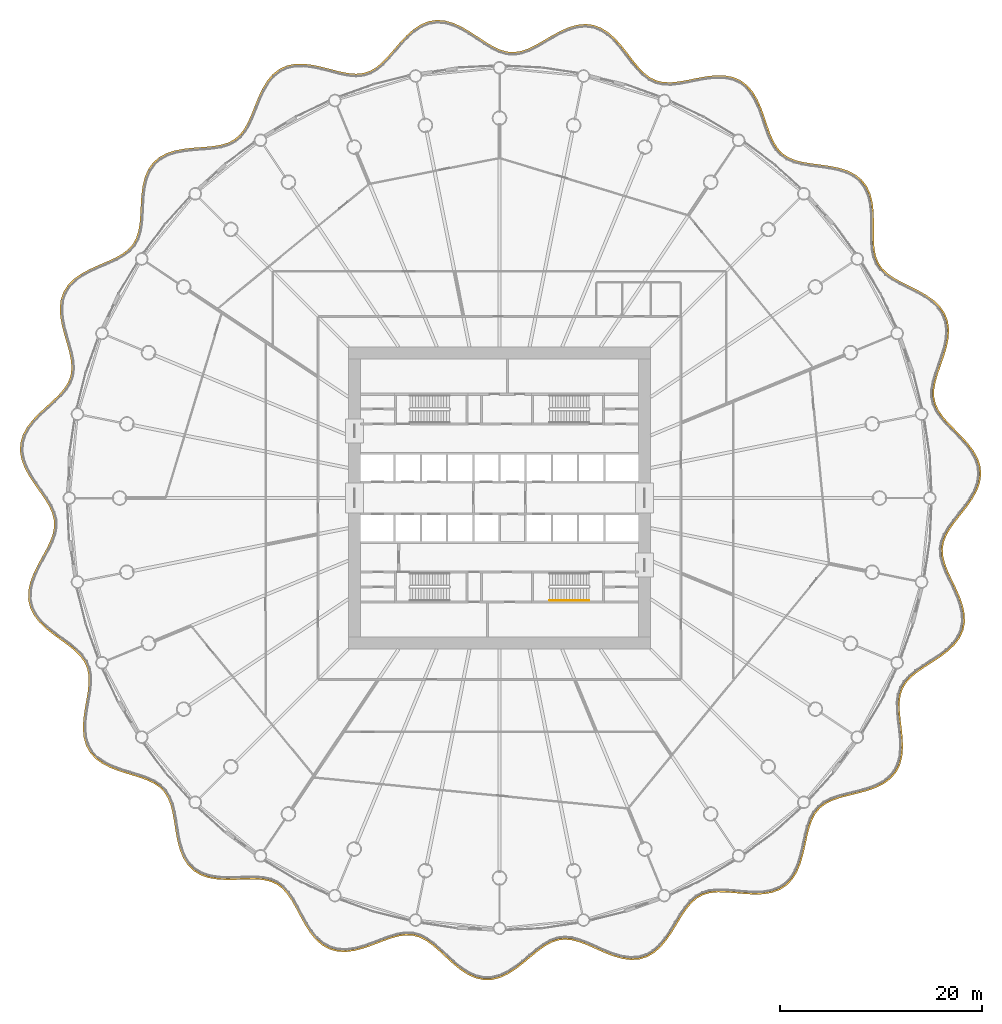
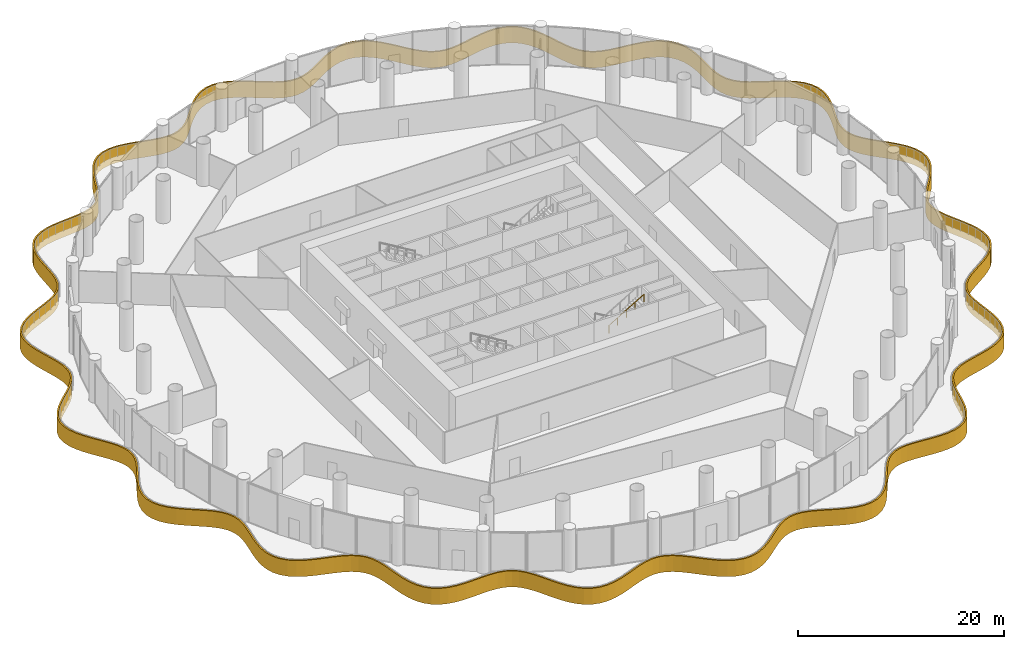
# One storey, part 34 of 38: 1 covering, 1 railing.
"""IFC4 building model written with IfcOpenShell, lengths in metres."""

from ifc_helpers import new_model, si_unit, direction, frame, origin, origin_2d, place, context, subcontext, project, spatial, polyline, circle, outline, extrude, material, layer, layer_set, type_object, element, save


model = new_model("IFC4")

# Units and contexts
model_context = context("Model", 3, precision=1e-05, world=origin(), true_north=direction((0.0, 1.0)))
body_context = subcontext(model_context, "Body", "Model", "MODEL_VIEW")
ifc_project = project(units=[si_unit("LENGTHUNIT", "METRE"), si_unit("AREAUNIT", "SQUARE_METRE"), si_unit("VOLUMEUNIT", "CUBIC_METRE"), si_unit("PLANEANGLEUNIT", "RADIAN"), si_unit("MASSUNIT", "GRAM", prefix="KILO")], contexts=[model_context])

# Site, building, storey
site_placement = place(None, origin())
site = spatial("IfcSite", under=ifc_project, at=site_placement, CompositionType="ELEMENT")
building_placement = place(site_placement, origin())
building = spatial("IfcBuilding", under=site, at=building_placement, Name="Corvane Civic Tower", CompositionType="ELEMENT")
storey_placement = place(building_placement, frame((0.0, 0.0, 32.0)))
storey = spatial("IfcBuildingStorey", under=building, at=storey_placement, Name="L06", CompositionType="ELEMENT", Elevation=32.0)

# Covering
ifc_material_1 = material(Name="Anodised aluminium ochre", Category="aluminium")
ifc_layer = layer(ifc_material_1, 0.159912109375)
ifc_layer_set = layer_set([ifc_layer], Name="Anodised aluminium ochre")
covering_type = type_object("IfcCoveringType", Name="PODIUM-COV-FASCIA-L06", PredefinedType="CLADDING", material=ifc_layer_set)
covering_placement = place(storey_placement, frame((0.0, 0.0, -0.800048828125)))
element("IfcCovering", 1, at=covering_placement, inside=storey, type_object=covering_type, Name="L06 ribbon fascia", PredefinedType="CLADDING", context=body_context, shape_type="SweptSolid", body=[
    extrude(outline(polyline([(0.75, 44.293212890625), (0.056396484375, 44.4912109375), (-0.65576171875, 44.82666015625), (-1.39208984375, 45.268310546875), (-2.154296875, 45.772705078125), (-2.940673828125, 46.2880859375), (-3.748779296875, 46.760009765625), (-4.572021484375, 47.136962890625), (-5.4033203125, 47.3740234375), (-6.230712890625, 47.4375), (-7.0380859375, 47.310302734375), (-7.810302734375, 46.99560546875), (-8.538330078125, 46.517578125), (-9.22119140625, 45.913818359375), (-9.86474609375, 45.23095703125), (-10.477294921875, 44.52001953125), (-11.071044921875, 43.83447265625), (-11.659423828125, 43.22412109375), (-12.255859375, 42.727783203125), (-12.873779296875, 42.371337890625), (-13.528564453125, 42.162109375), (-14.236083984375, 42.095947265625), (-15.005615234375, 42.15771484375), (-15.834228515625, 42.3203125), (-16.710693359375, 42.543212890625), (-17.617919921875, 42.77880859375), (-18.535888671875, 42.97705078125), (-19.442626953125, 43.089599609375), (-20.3154296875, 43.0751953125), (-21.1328125, 42.902587890625), (-21.87353515625, 42.556396484375), (-22.522216796875, 42.041259765625), (-23.074951171875, 41.379638671875), (-23.541259765625, 40.605712890625), (-23.939208984375, 39.760009765625), (-24.293701171875, 38.88818359375), (-24.63232421875, 38.037109375), (-24.984130859375, 37.250244140625), (-25.3759765625, 36.56298828125), (-25.8291015625, 35.997802734375), (-26.36181640625, 35.561279296875), (-26.988525390625, 35.2451171875), (-27.7158203125, 35.0341796875), (-28.53515625, 34.9052734375), (-29.42529296875, 34.825927734375), (-30.35595703125, 34.75732421875), (-31.2919921875, 34.658203125), (-32.197021484375, 34.489501953125), (-33.0361328125, 34.2177734375), (-33.77734375, 33.81787109375), (-34.394287109375, 33.279296875), (-34.87060546875, 32.607177734375), (-35.206787109375, 31.822265625), (-35.418701171875, 30.952392578125), (-35.536376953125, 30.0302734375), (-35.59521484375, 29.090087890625), (-35.637451171875, 28.1669921875), (-35.70458984375, 27.294189453125), (-35.83447265625, 26.498291015625), (-36.05712890625, 25.796142578125), (-36.393310546875, 25.190673828125), (-36.856201171875, 24.671875), (-37.44921875, 24.2236328125), (-38.160400390625, 23.827392578125), (-38.962158203125, 23.460693359375), (-39.81494140625, 23.096435546875), (-40.673095703125, 22.70751953125), (-41.489013671875, 22.267578125), (-42.218017578125, 21.755615234375), (-42.8203125, 21.156005859375), (-43.264892578125, 20.46484375), (-43.53466796875, 19.68994140625), (-43.631591796875, 18.849853515625), (-43.57763671875, 17.965087890625), (-43.407958984375, 17.056640625), (-43.167236328125, 16.14599609375), (-42.905517578125, 15.253173828125), (-42.673095703125, 14.396484375), (-42.5166015625, 13.589599609375), (-42.47216796875, 12.8408203125), (-42.563232421875, 12.148193359375), (-42.801025390625, 11.500244140625), (-43.186279296875, 10.8798828125), (-43.705810546875, 10.273193359375), (-44.32861328125, 9.6669921875), (-45.0107421875, 9.049560546875), (-45.701171875, 8.4091796875), (-46.34619140625, 7.736328125), (-46.8955078125, 7.023681640625), (-47.3046875, 6.27001953125), (-47.540283203125, 5.478271484375), (-47.584228515625, 4.661376953125), (-47.440185546875, 3.8349609375), (-47.132080078125, 3.01318359375), (-46.697509765625, 2.20556640625), (-46.18408203125, 1.417724609375), (-45.64501953125, 0.6533203125), (-45.134521484375, -0.0869140625), (-44.702392578125, -0.8037109375), (-44.388671875, -1.500732421875), (-44.218017578125, -2.186279296875), (-44.200439453125, -2.87353515625), (-44.333251953125, -3.579833984375), (-44.601806640625, -4.315673828125), (-44.976806640625, -5.084228515625), (-45.414794921875, -5.8837890625), (-45.8642578125, -6.708984375), (-46.271484375, -7.552490234375), (-46.58544921875, -8.404296875), (-46.76123046875, -9.252685546875), (-46.76611328125, -10.083740234375), (-46.58203125, -10.88037109375), (-46.214111328125, -11.626708984375), (-45.685302734375, -12.31591796875), (-45.032470703125, -12.949462890625), (-44.301513671875, -13.536376953125), (-43.54248046875, -14.089599609375), (-42.8076171875, -14.625), (-42.1455078125, -15.160400390625), (-41.59521484375, -15.712646484375), (-41.18115234375, -16.296630859375), (-40.911376953125, -16.92919921875), (-40.780029296875, -17.625), (-40.772216796875, -18.393310546875), (-40.861083984375, -19.229248046875), (-41.00927734375, -20.118896484375), (-41.169921875, -21.04150390625), (-41.294921875, -21.972900390625), (-41.337646484375, -22.88720703125), (-41.258544921875, -23.759033203125), (-41.027587890625, -24.563720703125), (-40.630126953125, -25.278564453125), (-40.0712890625, -25.88818359375), (-39.372802734375, -26.3896484375), (-38.5673828125, -26.795166015625), (-37.694091796875, -27.125), (-36.79638671875, -27.40771484375), (-35.91796875, -27.6748046875), (-35.100341796875, -27.958984375), (-34.37744140625, -28.289306640625), (-33.770751953125, -28.690185546875), (-33.284912109375, -29.1796875), (-32.912841796875, -29.772705078125), (-32.637939453125, -30.474609375), (-32.438720703125, -31.275634765625), (-32.284423828125, -32.153076171875), (-32.139892578125, -33.073486328125), (-31.96630859375, -33.9990234375), (-31.727783203125, -34.889892578125), (-31.393310546875, -35.70849609375), (-30.9404296875, -36.420654296875), (-30.359375, -36.998779296875), (-29.65625, -37.42578125), (-28.850830078125, -37.70361328125), (-27.969970703125, -37.849365234375), (-27.04248046875, -37.894287109375), (-26.1005859375, -37.877685546875), (-25.175537109375, -37.84326171875), (-24.296875, -37.835205078125), (-23.48876953125, -37.89453125), (-22.76611328125, -38.052734375), (-22.130615234375, -38.3310546875), (-21.57177734375, -38.7421875), (-21.073486328125, -39.289306640625), (-20.617919921875, -39.95947265625), (-20.185546875, -40.72412109375), (-19.7529296875, -41.542724609375), (-19.29638671875, -42.366943359375), (-18.793701171875, -43.1474609375), (-18.226806640625, -43.83740234375), (-17.583984375, -44.39599609375), (-16.8623046875, -44.791259765625), (-16.071044921875, -45.005615234375), (-15.227783203125, -45.041748046875), (-14.3515625, -44.92236328125), (-13.460693359375, -44.68310546875), (-12.572509765625, -44.370849609375), (-11.703125, -44.035888671875), (-10.8662109375, -43.730712890625), (-10.07275390625, -43.502685546875), (-9.32763671875, -43.3896484375), (-8.6279296875, -43.41552734375), (-7.9609375, -43.59130859375), (-7.310791015625, -43.91650390625), (-6.662841796875, -44.377197265625), (-6.008056640625, -44.943359375), (-5.337646484375, -45.570556640625), (-4.643798828125, -46.206787109375), (-3.92138671875, -46.7978515625), (-3.16796875, -47.292724609375), (-2.384033203125, -47.646728515625), (-1.57666015625, -47.826171875), (-0.7587890625, -47.812744140625), (0.053466796875, -47.6103515625), (0.847900390625, -47.2431640625), (1.618408203125, -46.748779296875), (2.3623046875, -46.175048828125), (3.0810546875, -45.57470703125), (3.777587890625, -45.00146484375), (4.456787109375, -44.50634765625), (5.126220703125, -44.12890625), (5.794921875, -43.894775390625), (6.477294921875, -43.812255859375), (7.18994140625, -43.87890625), (7.943115234375, -44.079345703125), (8.738037109375, -44.38525390625), (9.5693359375, -44.753662109375), (10.427978515625, -45.13427734375), (11.301513671875, -45.47412109375), (12.1767578125, -45.722412109375), (13.0380859375, -45.8359375), (13.86865234375, -45.781494140625), (14.650390625, -45.542236328125), (15.367431640625, -45.122802734375), (16.014404296875, -44.54638671875), (16.59521484375, -43.8486328125), (17.121826171875, -43.07421875), (17.612060546875, -42.272216796875), (18.085205078125, -41.493408203125), (18.563720703125, -40.7841796875), (19.06640625, -40.18359375), (19.611572265625, -39.715576171875), (20.2158203125, -39.386962890625), (20.89453125, -39.19189453125), (21.6552734375, -39.115234375), (22.4921875, -39.131103515625), (23.38818359375, -39.203125), (24.320068359375, -39.287841796875), (25.2587890625, -39.33837890625), (26.17578125, -39.31103515625), (27.041259765625, -39.1669921875), (27.828857421875, -38.878662109375), (28.5146484375, -38.431884765625), (29.082275390625, -37.83203125), (29.530517578125, -37.100830078125), (29.872802734375, -36.26904296875), (30.13330078125, -35.37353515625), (30.342529296875, -34.45556640625), (30.5361328125, -33.555908203125), (30.74951171875, -32.713623046875), (31.015380859375, -31.96044921875), (31.360107421875, -31.316650390625), (31.802490234375, -30.78662109375), (32.3564453125, -30.361572265625), (33.02734375, -30.025390625), (33.80419921875, -29.7578125), (34.662353515625, -29.530517578125), (35.56640625, -29.31103515625), (36.475341796875, -29.06396484375), (37.3466796875, -28.756591796875), (38.14013671875, -28.361328125), (38.8193359375, -27.85693359375), (39.35546875, -27.236083984375), (39.73193359375, -26.50537109375), (39.949951171875, -25.68408203125), (40.02880859375, -24.796875), (40.001708984375, -23.8701171875), (39.909423828125, -22.9326171875), (39.798583984375, -22.011962890625), (39.71533203125, -21.134033203125), (39.702880859375, -20.320068359375), (39.79443359375, -19.58251953125), (40.0126953125, -18.92236328125), (40.36865234375, -18.32861328125), (40.865478515625, -17.784423828125), (41.48974609375, -17.27392578125), (42.212158203125, -16.77978515625), (42.990478515625, -16.281494140625), (43.77490234375, -15.760009765625), (44.51513671875, -15.197265625), (45.162109375, -14.57861328125), (45.673828125, -13.895263671875), (46.017822265625, -13.146728515625), (46.17578125, -12.343017578125), (46.151611328125, -11.501220703125), (45.96728515625, -10.638671875), (45.660888671875, -9.7705078125), (45.27880859375, -8.91015625), (44.872802734375, -8.0703125), (44.49658203125, -7.259521484375), (44.198486328125, -6.4853515625), (44.017578125, -5.750244140625), (43.977783203125, -5.04931640625), (44.089599609375, -4.36962890625), (44.352294921875, -3.694580078125), (44.751708984375, -3.01171875), (45.25732421875, -2.313720703125), (45.824951171875, -1.5947265625), (46.40283203125, -0.852294921875), (46.93603515625, -0.084716796875), (47.373291015625, 0.7060546875), (47.669921875, 1.515625), (47.7919921875, 2.3349609375), (47.72119140625, 3.149658203125), (47.4619140625, 3.94384765625), (47.0380859375, 4.707275390625), (46.487060546875, 5.435791015625), (45.856689453125, 6.131591796875), (45.19873046875, 6.7998046875), (44.5673828125, 7.447021484375), (44.0126953125, 8.08349609375), (43.574462890625, 8.718994140625), (43.277587890625, 9.365234375), (43.13134765625, 10.036865234375), (43.131103515625, 10.75), (43.262939453125, 11.514404296875), (43.49755859375, 12.329345703125), (43.794189453125, 13.1865234375), (44.103515625, 14.072509765625), (44.373291015625, 14.970947265625), (44.5546875, 15.864501953125), (44.6044921875, 16.73388671875), (44.49072265625, 17.559814453125), (44.197509765625, 18.322998046875), (43.72900390625, 19.007568359375), (43.10791015625, 19.608642578125), (42.36962890625, 20.133544921875), (41.55712890625, 20.597412109375), (40.717529296875, 21.02099609375), (39.8994140625, 21.428466796875), (39.14892578125, 21.84521484375), (38.502685546875, 22.294677734375), (37.98388671875, 22.796142578125), (37.599853515625, 23.3671875), (37.3427734375, 24.022705078125), (37.1982421875, 24.76953125), (37.14111328125, 25.600830078125), (37.137451171875, 26.497314453125), (37.1455078125, 27.431640625), (37.12109375, 28.372314453125), (37.02294921875, 29.28564453125), (36.814697265625, 30.140625), (36.4697265625, 30.906982421875), (35.97607421875, 31.559814453125), (35.33837890625, 32.0830078125), (34.578369140625, 32.476318359375), (33.72509765625, 32.75390625), (32.8134765625, 32.943359375), (31.881103515625, 33.077880859375), (30.966552734375, 33.1962890625), (30.105712890625, 33.337158203125), (29.328369140625, 33.536376953125), (28.652587890625, 33.8212890625), (28.08251953125, 34.21240234375), (27.6083984375, 34.722900390625), (27.21435546875, 35.357177734375), (26.881103515625, 36.10400390625), (26.58251953125, 36.937255859375), (26.28955078125, 37.818603515625), (25.970703125, 38.705078125), (25.59619140625, 39.551513671875), (25.141357421875, 40.314697265625), (24.588134765625, 40.957275390625), (23.9306640625, 41.448974609375), (23.17578125, 41.772705078125), (22.343017578125, 41.930419921875), (21.45458984375, 41.942626953125), (20.5341796875, 41.84375), (19.607177734375, 41.677001953125), (18.697021484375, 41.489990234375), (17.826416015625, 41.33154296875), (17.01318359375, 41.246826171875), (16.2666015625, 41.27099609375), (15.587646484375, 41.426513671875), (14.9638671875, 41.724609375), (14.37890625, 42.167236328125), (13.818115234375, 42.7412109375), (13.265380859375, 43.416259765625), (12.705810546875, 44.148681640625), (12.123291015625, 44.888671875), (11.50341796875, 45.583740234375), (10.836181640625, 46.18359375), (10.115478515625, 46.6455078125), (9.34375, 46.936279296875), (8.531494140625, 47.03759765625), (7.695068359375, 46.952880859375), (6.8505859375, 46.705810546875), (6.010498046875, 46.333984375), (5.183837890625, 45.884521484375), (4.378662109375, 45.41064453125), (3.600341796875, 44.9658203125), (2.85205078125, 44.599609375), (2.1328125, 44.351318359375), (1.4365234375, 44.245849609375), (0.75, 44.293212890625)]), holes=[polyline([(-0.731201171875, 44.685302734375), (0.0, 44.341064453125), (0.72216796875, 44.134765625), (1.443115234375, 44.0849609375), (2.171142578125, 44.1953125), (2.91357421875, 44.451416015625), (3.67529296875, 44.82421875), (4.458984375, 45.272216796875), (5.2626953125, 45.745361328125), (6.0810546875, 46.190185546875), (6.90576171875, 46.55517578125), (7.725830078125, 46.795166015625), (8.529541015625, 46.87646484375), (9.30517578125, 46.77978515625), (10.04345703125, 46.501708984375), (10.73876953125, 46.055908203125), (11.389892578125, 45.470703125), (12.00048828125, 44.785888671875), (12.579345703125, 44.05078125), (13.139892578125, 43.31689453125), (13.69873046875, 42.63427734375), (14.27294921875, 42.046875), (14.880126953125, 41.587158203125), (15.53466796875, 41.2744140625), (16.24609375, 41.111572265625), (17.018798828125, 41.086669921875), (17.84912109375, 41.173095703125), (18.7275390625, 41.332763671875), (19.637451171875, 41.519775390625), (20.556884765625, 41.685302734375), (21.4619140625, 41.782470703125), (22.326904296875, 41.7705078125), (23.12890625, 41.61865234375), (23.85009765625, 41.309326171875), (24.478271484375, 40.839599609375), (25.010986328125, 40.220947265625), (25.453857421875, 39.477783203125), (25.822021484375, 38.6455078125), (26.138427734375, 37.766357421875), (26.431396484375, 36.885009765625), (26.732421875, 36.04443359375), (27.07275390625, 35.281982421875), (27.480712890625, 34.625244140625), (27.977294921875, 34.090576171875), (28.575439453125, 33.68017578125), (29.277099609375, 33.38427734375), (30.072998046875, 33.180419921875), (30.943359375, 33.0380859375), (31.859375, 32.91943359375), (32.78564453125, 32.78564453125), (33.683837890625, 32.59912109375), (34.516357421875, 32.328125), (35.25, 31.94873046875), (35.85986328125, 31.4482421875), (36.331298828125, 30.824951171875), (36.662841796875, 30.08837890625), (36.864990234375, 29.258056640625), (36.96142578125, 28.361572265625), (36.9853515625, 27.43017578125), (36.9775390625, 26.49755859375), (36.981201171875, 25.594970703125), (37.039306640625, 24.748779296875), (37.1884765625, 23.977783203125), (37.457275390625, 23.29248046875), (37.860595703125, 22.69287109375), (38.400634765625, 22.170654296875), (39.064208984375, 21.709228515625), (39.824951171875, 21.286865234375), (40.645751953125, 20.8779296875), (41.4814453125, 20.456298828125), (42.283447265625, 19.99853515625), (43.00537109375, 19.4853515625), (43.60595703125, 18.90380859375), (44.054931640625, 18.248046875), (44.334716796875, 17.519775390625), (44.44384765625, 16.7275390625), (44.3955078125, 15.885009765625), (44.218017578125, 15.010009765625), (43.951171875, 14.121826171875), (43.64306640625, 13.239013671875), (43.344970703125, 12.377685546875), (43.106689453125, 11.55029296875), (42.97119140625, 10.763671875), (42.971435546875, 10.01953125), (43.125, 9.314208984375), (43.434814453125, 8.6396484375), (43.885986328125, 7.9853515625), (44.44970703125, 7.338623046875), (45.08447265625, 6.687744140625), (45.740234375, 6.021728515625), (46.36376953125, 5.333740234375), (46.903564453125, 4.61962890625), (47.314697265625, 3.879638671875), (47.5634765625, 3.117431640625), (47.630859375, 2.33984375), (47.51416015625, 1.555419921875), (47.227294921875, 0.772705078125), (46.800048828125, 0.0), (46.27392578125, -0.75732421875), (45.698974609375, -1.49609375), (45.129638671875, -2.217041015625), (44.617431640625, -2.92431640625), (44.207763671875, -3.624755859375), (43.934326171875, -4.3271484375), (43.817138671875, -5.040771484375), (43.858642578125, -5.774169921875), (44.04541015625, -6.533447265625), (44.34912109375, -7.322021484375), (44.728271484375, -8.138671875), (45.133544921875, -8.9775390625), (45.51220703125, -9.82958984375), (45.81298828125, -10.68212890625), (45.991943359375, -11.520263671875), (46.015380859375, -12.329833984375), (45.864501953125, -13.09716796875), (45.53564453125, -13.81298828125), (45.0419921875, -14.47216796875), (44.4111328125, -15.075439453125), (43.68212890625, -15.629638671875), (42.903076171875, -16.1474609375), (42.123779296875, -16.646240234375), (41.393798828125, -17.145751953125), (40.755126953125, -17.66796875), (40.23974609375, -18.232421875), (39.8662109375, -18.855224609375), (39.6376953125, -19.547119140625), (39.542724609375, -20.311279296875), (39.555419921875, -21.142822265625), (39.639404296875, -22.029052734375), (39.75048828125, -22.949951171875), (39.842041015625, -23.88037109375), (39.86865234375, -24.7919921875), (39.791748046875, -25.65625), (39.581787109375, -26.447509765625), (39.221923828125, -27.14599609375), (38.709716796875, -27.739013671875), (38.05615234375, -28.224365234375), (37.2841796875, -28.609130859375), (36.427734375, -28.9111328125), (35.526611328125, -29.156005859375), (34.623046875, -29.37548828125), (33.757568359375, -29.6044921875), (32.965087890625, -29.877685546875), (32.271240234375, -30.225341796875), (31.69091796875, -30.67041015625), (31.226806640625, -31.226806640625), (30.86865234375, -31.895751953125), (30.59619140625, -32.667236328125), (30.38037109375, -33.51953125), (30.186279296875, -34.4208984375), (29.978271484375, -35.33349609375), (29.7216796875, -36.216064453125), (29.387451171875, -37.028076171875), (28.95458984375, -37.734130859375), (28.411376953125, -38.30810546875), (27.7568359375, -38.734619140625), (27.000244140625, -39.01171875), (26.16015625, -39.1513671875), (25.2607421875, -39.17822265625), (24.33154296875, -39.128173828125), (23.40185546875, -39.043701171875), (22.5, -38.97119140625), (21.648681640625, -38.955078125), (20.8642578125, -39.0341796875), (20.15478515625, -39.238037109375), (19.520263671875, -39.5830078125), (18.9521484375, -40.07080078125), (18.435546875, -40.687744140625), (17.950439453125, -41.406982421875), (17.475341796875, -42.18896484375), (16.9873046875, -42.987548828125), (16.46728515625, -43.752197265625), (15.89892578125, -44.434814453125), (15.27294921875, -44.99267578125), (14.585693359375, -45.394775390625), (13.839599609375, -45.623046875), (13.043212890625, -45.67529296875), (12.209228515625, -45.5654296875), (11.3525390625, -45.322265625), (10.489501953125, -44.986572265625), (9.63427734375, -44.607421875), (8.79931640625, -44.2373046875), (7.99267578125, -43.927001953125), (7.21826171875, -43.720703125), (6.47509765625, -43.6513671875), (5.75830078125, -43.738037109375), (5.059814453125, -43.982666015625), (4.3701171875, -44.37158203125), (3.679443359375, -44.875), (2.97900390625, -45.451416015625), (2.26220703125, -46.05029296875), (1.526123046875, -46.617919921875), (0.770751953125, -47.1025390625), (0.0, -47.458740234375), (-0.77978515625, -47.653076171875), (-1.560302734375, -47.665771484375), (-2.333251953125, -47.494140625), (-3.090576171875, -47.152099609375), (-3.82666015625, -46.668701171875), (-4.5390625, -46.085693359375), (-5.22900390625, -45.453125), (-5.901123046875, -44.824462890625), (-6.56396484375, -44.251220703125), (-7.22802734375, -43.77880859375), (-7.904296875, -43.440673828125), (-8.604248046875, -43.25634765625), (-9.336669921875, -43.229248046875), (-10.10693359375, -43.345947265625), (-10.915771484375, -43.578369140625), (-11.75927734375, -43.885986328125), (-12.6279296875, -44.220703125), (-13.508056640625, -44.5302734375), (-14.38330078125, -44.76513671875), (-15.235107421875, -44.88134765625), (-16.04638671875, -44.846435546875), (-16.802001953125, -44.641845703125), (-17.491943359375, -44.263916015625), (-18.111572265625, -43.725341796875), (-18.6640625, -43.052978515625), (-19.158935546875, -42.28466796875), (-19.6123046875, -41.466552734375), (-20.045166015625, -40.6474609375), (-20.48193359375, -39.875), (-20.947509765625, -39.18994140625), (-21.464111328125, -38.622802734375), (-22.050048828125, -38.191650390625), (-22.71630859375, -37.89990234375), (-23.465576171875, -37.73583984375), (-24.291748046875, -37.67529296875), (-25.17919921875, -37.683349609375), (-26.10498046875, -37.7177734375), (-27.0400390625, -37.734375), (-27.952880859375, -37.68994140625), (-28.8115234375, -37.5478515625), (-29.587890625, -37.2802734375), (-30.260009765625, -36.871826171875), (-30.81494140625, -36.31982421875), (-31.250732421875, -35.634765625), (-31.575927734375, -34.8388671875), (-31.810302734375, -33.963623046875), (-31.982177734375, -33.04638671875), (-32.126708984375, -32.126708984375), (-32.281982421875, -31.242431640625), (-32.485107421875, -30.42578125), (-32.769287109375, -29.700439453125), (-33.158935546875, -29.07958984375), (-33.668701171875, -28.565673828125), (-34.299560546875, -28.14892578125), (-35.040771484375, -27.810302734375), (-35.868408203125, -27.522705078125), (-36.7490234375, -27.2548828125), (-37.641845703125, -26.973876953125), (-38.5029296875, -26.6484375), (-39.289794921875, -26.25244140625), (-39.964599609375, -25.767822265625), (-40.49951171875, -25.184326171875), (-40.87890625, -24.501953125), (-41.1005859375, -23.7294921875), (-41.17724609375, -22.8837890625), (-41.13525390625, -21.9873046875), (-41.01171875, -21.06591796875), (-40.8515625, -20.145751953125), (-40.70263671875, -19.2509765625), (-40.612060546875, -18.401123046875), (-40.6201171875, -17.609375), (-40.75732421875, -16.88232421875), (-41.040771484375, -16.218017578125), (-41.472412109375, -15.609130859375), (-42.038330078125, -15.04150390625), (-42.710205078125, -14.498046875), (-43.4482421875, -13.960205078125), (-44.2041015625, -13.4091796875), (-44.926513671875, -12.829345703125), (-45.5654296875, -12.209228515625), (-46.07763671875, -11.541748046875), (-46.430419921875, -10.826171875), (-46.60595703125, -10.06591796875), (-46.601318359375, -9.26953125), (-46.43115234375, -8.448486328125), (-46.1240234375, -7.615234375), (-45.721923828125, -6.7822265625), (-45.2744140625, -5.96044921875), (-44.834716796875, -5.15771484375), (-44.454345703125, -4.37841796875), (-44.178466796875, -3.622314453125), (-44.0400390625, -2.886474609375), (-44.05859375, -2.16455078125), (-44.23681640625, -1.4482421875), (-44.560302734375, -0.729248046875), (-45.0, 0.0), (-45.513916015625, 0.744873046875), (-46.0517578125, 1.507568359375), (-46.559814453125, 2.287353515625), (-46.986083984375, 3.07958984375), (-47.28515625, 3.877197265625), (-47.423583984375, 4.6708984375), (-47.381591796875, 5.45068359375), (-47.156005859375, 6.208251953125), (-46.760986328125, 6.936279296875), (-46.224853515625, 7.6318359375), (-45.5888671875, 8.295166015625), (-44.902587890625, 8.931640625), (-44.218994140625, 9.55029296875), (-43.5888671875, 10.16357421875), (-43.056884765625, 10.78515625), (-42.656494140625, 11.4296875), (-42.406982421875, 12.10986328125), (-42.3115234375, 12.8349609375), (-42.357421875, 13.609619140625), (-42.51708984375, 14.4326171875), (-42.75146484375, 15.296630859375), (-43.01318359375, 16.18896484375), (-43.251708984375, 17.091796875), (-43.41845703125, 17.984619140625), (-43.470947265625, 18.845458984375), (-43.377685546875, 19.654052734375), (-43.1201171875, 20.394287109375), (-42.695068359375, 21.054931640625), (-42.11474609375, 21.632568359375), (-41.40478515625, 22.13134765625), (-40.60205078125, 22.56396484375), (-39.75048828125, 22.949951171875), (-38.8974609375, 23.314208984375), (-38.088134765625, 23.6845703125), (-37.361572265625, 24.08935546875), (-36.747314453125, 24.5537109375), (-36.26220703125, 25.097412109375), (-35.909423828125, 25.732421875), (-35.678466796875, 26.4609375), (-35.545654296875, 27.275146484375), (-35.477783203125, 28.1572265625), (-35.435546875, 29.081298828125), (-35.376953125, 30.01513671875), (-35.26123046875, 30.92333984375), (-35.054443359375, 31.771484375), (-34.730224609375, 32.528564453125), (-34.27490234375, 33.171142578125), (-33.685546875, 33.685546875), (-32.972900390625, 34.070068359375), (-32.157470703125, 34.334228515625), (-31.268798828125, 34.499755859375), (-30.341552734375, 34.597900390625), (-29.412353515625, 34.66650390625), (-28.515625, 34.746337890625), (-27.680908203125, 34.877685546875), (-26.9296875, 35.095703125), (-26.27392578125, 35.42626953125), (-25.714599609375, 35.884765625), (-25.2431640625, 36.47265625), (-24.84130859375, 37.177734375), (-24.48486328125, 37.974853515625), (-24.145263671875, 38.82861328125), (-23.792724609375, 39.69580078125), (-23.39990234375, 40.530029296875), (-22.9443359375, 41.28662109375), (-22.409912109375, 41.926025390625), (-21.788818359375, 42.41943359375), (-21.081787109375, 42.749755859375), (-20.29736328125, 42.91552734375), (-19.451171875, 42.929443359375), (-18.562744140625, 42.819091796875), (-17.655029296875, 42.623046875), (-16.75048828125, 42.38818359375), (-15.869384765625, 42.1640625), (-15.027587890625, 41.9990234375), (-14.235107421875, 41.935302734375), (-13.496337890625, 42.00439453125), (-12.80859375, 42.22412109375), (-12.1640625, 42.59619140625), (-11.55029296875, 43.106689453125), (-10.952880859375, 43.7265625), (-10.356201171875, 44.415283203125), (-9.745849609375, 45.123779296875), (-9.10986328125, 45.798828125), (-8.44091796875, 46.39013671875), (-7.735595703125, 46.853271484375), (-6.994873046875, 47.155029296875), (-6.22412109375, 47.276611328125), (-5.431640625, 47.2158203125), (-4.627685546875, 46.986328125), (-3.822509765625, 46.617919921875), (-3.02490234375, 46.152099609375), (-2.2421875, 45.63916015625), (-1.4775390625, 45.133056640625), (-0.731201171875, 44.685302734375)])]), origin(), (0.0, 0.0, 1.0), 1.900146484375),
])

# Railing
ifc_material_2 = material(Name="Steel ASTM A572 Gr 50", Category="steel")
railing_type = type_object("IfcRailingType", Name="ST-HANDRAIL-900", PredefinedType="HANDRAIL", material=ifc_material_2)
railing_placement = place(storey_placement, frame((4.97998046875, -10.14990234375, 2.666748046875)))
element("IfcRailing", 2, at=railing_placement, inside=storey, type_object=railing_type, Name="L06 ST2 stair handrail 2", PredefinedType="HANDRAIL", context=body_context, shape_type="SweptSolid", body=[
    extrude(circle(Radius=0.02392578125, at=origin_2d()), frame((0.0, 0.0, 0.8759765625), z_axis=(0.859296244711, 0.0, 0.511478214419), x_axis=(0.0, 1.0, 0.0)), (0.0, 0.0, 1.0), 4.561767578125),
    extrude(circle(Radius=0.02099609375, at=origin_2d()), origin(), (0.0, 0.0, 1.0), 0.851806640625),
    extrude(circle(Radius=0.02099609375, at=origin_2d()), frame((0.97998046875, 0.0, 0.583251953125)), (0.0, 0.0, 1.0), 0.851806640625),
    extrude(circle(Radius=0.02099609375, at=origin_2d()), frame((1.9599609375, 0.0, 1.16650390625)), (0.0, 0.0, 1.0), 0.851806640625),
    extrude(circle(Radius=0.02099609375, at=origin_2d()), frame((2.93994140625, 0.0, 1.75)), (0.0, 0.0, 1.0), 0.851806640625),
    extrude(circle(Radius=0.02099609375, at=origin_2d()), frame((3.919921875, 0.0, 2.333251953125)), (0.0, 0.0, 1.0), 0.851806640625),
])

save(model, "model.ifc")
